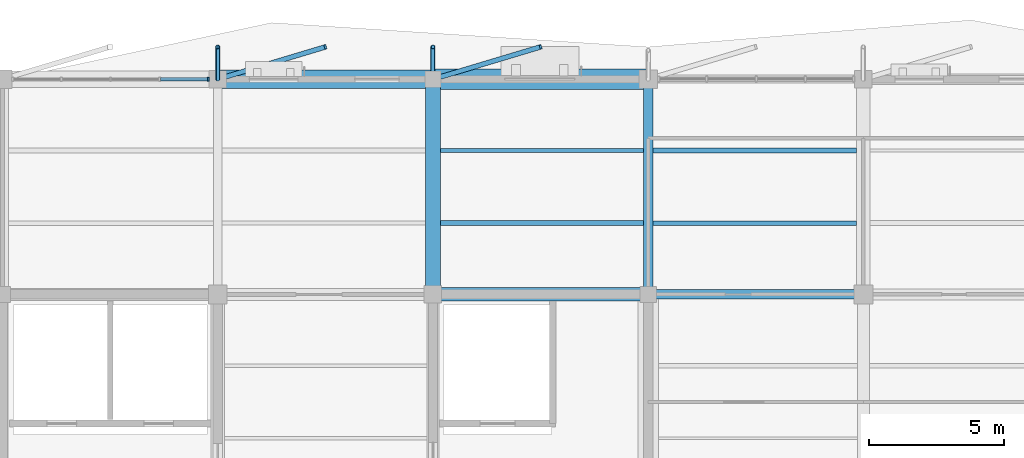
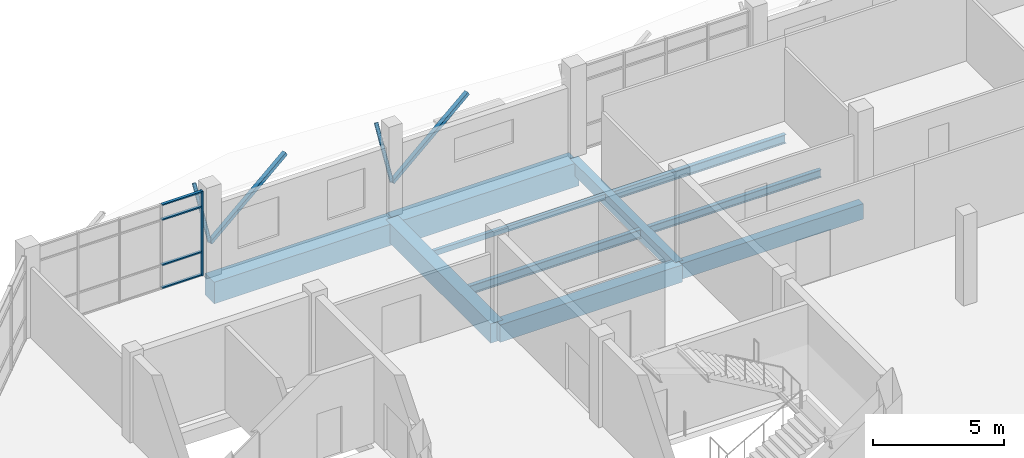
# One storey, part 32 of 84: 10 beams, 9 members, 1 element without a shape of its own.
"""IFC4 building model written with IfcOpenShell, lengths in metres."""

from ifc_helpers import new_model, si_unit, direction, frame, origin, origin_2d, place, context, subcontext, project, spatial, rectangle, hollow_rectangle, hollow_circle, i_section, extrude, material, material_profile, profile_set, type_object, element, aggregate, save


model = new_model("IFC4")

# Units and contexts
model_context = context("Model", 3, precision=1e-05, world=origin(), true_north=direction((0.0, 1.0)))
body_context = subcontext(model_context, "Body", "Model", "MODEL_VIEW")
ifc_project = project(units=[si_unit("LENGTHUNIT", "METRE"), si_unit("AREAUNIT", "SQUARE_METRE"), si_unit("VOLUMEUNIT", "CUBIC_METRE"), si_unit("PLANEANGLEUNIT", "RADIAN"), si_unit("MASSUNIT", "GRAM", prefix="KILO")], contexts=[model_context])

# Site, building, storey
site_placement = place(None, origin())
site = spatial("IfcSite", under=ifc_project, at=site_placement, CompositionType="ELEMENT")
building_placement = place(site_placement, origin())
building = spatial("IfcBuilding", under=site, at=building_placement, Name="Tenunan Teduh Sports Hall", CompositionType="ELEMENT")
storey_placement = place(building_placement, frame((0.0, 0.0, 10.800048828125)))
storey = spatial("IfcBuildingStorey", under=building, at=storey_placement, Name="L02", CompositionType="ELEMENT", Elevation=10.800048828125)

# Beams
ifc_material_1 = material(Name="Concrete C40/50", Category="concrete")
ifc_material_profile_1 = material_profile(ifc_material_1, rectangle(XDim=0.35009765625, YDim=0.60009765625, at=origin_2d()), Name="RCB 350x600")
ifc_profile_set_1 = profile_set([ifc_material_profile_1], Name="Concrete C40/50")
beam_type_1 = type_object("IfcBeamType", Name="BM-RC-350x600", PredefinedType="BEAM", material=ifc_profile_set_1)
beam_1_placement = place(storey_placement, frame((38.0, 110.0, -0.56005859375), z_axis=(0.0, 1.0, 0.0), x_axis=(-1.0, 0.0, 0.0)))
element("IfcBeam", 1, at=beam_1_placement, inside=storey, type_object=beam_type_1, Name="BM-B-04-L02-1602", PredefinedType="BEAM", context=body_context, shape_type="SweptSolid", body=[
    extrude(rectangle(XDim=0.35009765625, YDim=0.60009765625, at=origin_2d()), origin(), (0.0, 0.0, 1.0), 8.0),
])
ifc_material_2 = material(Name="Concrete C40/50", Category="concrete")
ifc_material_profile_2 = material_profile(ifc_material_2, rectangle(XDim=0.5, YDim=0.800048828125, at=origin_2d()), Name="RCB 500x800")
ifc_profile_set_2 = profile_set([ifc_material_profile_2], Name="Concrete C40/50")
beam_type_2 = type_object("IfcBeamType", Name="BM-RC-500x800", PredefinedType="BEAM", material=ifc_profile_set_2)
beam_2_placement = place(storey_placement, frame((30.0, 110.0, -0.66015625), z_axis=(1.0, 0.0, 0.0), x_axis=(0.0, 1.0, 0.0)))
element("IfcBeam", 2, at=beam_2_placement, inside=storey, type_object=beam_type_2, Name="BM-B-14-L02-1544", PredefinedType="BEAM", context=body_context, shape_type="SweptSolid", body=[
    extrude(rectangle(XDim=0.5, YDim=0.800048828125, at=origin_2d()), origin(), (0.0, 0.0, 1.0), 8.0),
])
ifc_material_3 = material(Name="Concrete C40/50", Category="concrete")
ifc_material_profile_3 = material_profile(ifc_material_3, rectangle(XDim=0.550048828125, YDim=0.89990234375, at=origin_2d()), Name="RCB 550x900")
ifc_profile_set_3 = profile_set([ifc_material_profile_3], Name="Concrete C40/50")
beam_type_3 = type_object("IfcBeamType", Name="BM-RC-550x900", PredefinedType="BEAM", material=ifc_profile_set_3)
beam_3_placement = place(storey_placement, frame((30.0, 110.0, -0.7099609375), z_axis=(0.0, 1.0, 0.0), x_axis=(-1.0, 0.0, 0.0)))
element("IfcBeam", 3, at=beam_3_placement, inside=storey, type_object=beam_type_3, Name="BM-B-16-L02-1597", PredefinedType="BEAM", context=body_context, shape_type="SweptSolid", body=[
    extrude(rectangle(XDim=0.550048828125, YDim=0.89990234375, at=origin_2d()), origin(), (0.0, 0.0, 1.0), 8.0),
])
ifc_material_4 = material(Name="Concrete C40/50", Category="concrete")
ifc_material_profile_4 = material_profile(ifc_material_4, rectangle(XDim=0.699951171875, YDim=1.0, at=origin_2d()), Name="RCB 700x1000")
ifc_profile_set_4 = profile_set([ifc_material_profile_4], Name="Concrete C40/50")
beam_type_4 = type_object("IfcBeamType", Name="BM-RC-700x1000", PredefinedType="SPANDREL", material=ifc_profile_set_4)
beam_4_placement = place(storey_placement, frame((22.0, 118.0, -0.760009765625), z_axis=(1.0, 0.0, 0.0), x_axis=(0.0, 1.0, 0.0)))
element("IfcBeam", 4, at=beam_4_placement, inside=storey, type_object=beam_type_4, Name="BM-B-19-L02-1559", PredefinedType="SPANDREL", context=body_context, shape_type="SweptSolid", body=[
    extrude(rectangle(XDim=0.699951171875, YDim=1.0, at=origin_2d()), origin(), (0.0, 0.0, 1.0), 8.0),
])
ifc_material_5 = material(Name="Concrete C40/50", Category="concrete")
ifc_material_profile_5 = material_profile(ifc_material_5, rectangle(XDim=0.75, YDim=1.10009765625, at=origin_2d()), Name="RCB 750x1100")
ifc_profile_set_5 = profile_set([ifc_material_profile_5], Name="Concrete C40/50")
beam_type_5 = type_object("IfcBeamType", Name="BM-RC-750x1100", PredefinedType="SPANDREL", material=ifc_profile_set_5)
beam_5_placement = place(storey_placement, frame((30.0, 118.0, -0.81005859375), z_axis=(1.0, 0.0, 0.0), x_axis=(0.0, 1.0, 0.0)))
element("IfcBeam", 5, at=beam_5_placement, inside=storey, type_object=beam_type_5, Name="BM-B-20-L02-1560", PredefinedType="SPANDREL", context=body_context, shape_type="SweptSolid", body=[
    extrude(rectangle(XDim=0.75, YDim=1.10009765625, at=origin_2d()), origin(), (0.0, 0.0, 1.0), 8.0),
])
ifc_material_6 = material(Name="Concrete C40/50", Category="concrete")
ifc_material_profile_6 = material_profile(ifc_material_6, rectangle(XDim=0.35009765625, YDim=0.719970703125, at=origin_2d()), Name="TB 350x720")
ifc_profile_set_6 = profile_set([ifc_material_profile_6], Name="Concrete C40/50")
beam_type_6 = type_object("IfcBeamType", Name="BM-TB-350x720", PredefinedType="T_BEAM", material=ifc_profile_set_6)
beam_6_placement = place(storey_placement, frame((38.0, 110.0, -0.6201171875), z_axis=(1.0, 0.0, 0.0), x_axis=(0.0, 1.0, 0.0)))
element("IfcBeam", 6, at=beam_6_placement, inside=storey, type_object=beam_type_6, Name="BM-TB-01-L02-1545", PredefinedType="T_BEAM", context=body_context, shape_type="SweptSolid", body=[
    extrude(rectangle(XDim=0.35009765625, YDim=0.719970703125, at=origin_2d()), origin(), (0.0, 0.0, 1.0), 8.0),
])

# Curtain wall, members
ifc_material_7 = material(Name="Anodised aluminium", Category="aluminium")
curtain_wall_type = type_object("IfcCurtainWallType", Name="CW-UNIT-2", PredefinedType="NOTDEFINED", material=ifc_material_7)
curtain_wall_placement = place(storey_placement, origin())
curtain_wall = element("IfcCurtainWall", 7, at=curtain_wall_placement, inside=storey, type_object=curtain_wall_type, Name="CW-CWM-150-L02-215", PredefinedType="NOTDEFINED")
ifc_material_8 = material(Name="Anodised aluminium", Category="aluminium")
ifc_material_profile_7 = material_profile(ifc_material_8, rectangle(XDim=0.06005859375, YDim=0.14990234375, at=origin_2d()), Name="CWM 60x150")
ifc_profile_set_7 = profile_set([ifc_material_profile_7], Name="Anodised aluminium")
member_type_1 = type_object("IfcMemberType", Name="CWM-150", PredefinedType="MULLION", material=ifc_profile_set_7)
member_1_placement = place(storey_placement, frame((21.64501953125, 118.0, 0.0), z_axis=(0.0, 0.0, 1.0), x_axis=(1.0, 0.0, 0.0)))
member_1 = element("IfcMember", 8, at=member_1_placement, type_object=member_type_1, Name="CW-02 mullion 5", PredefinedType="MULLION", context=body_context, shape_type="SweptSolid", body=[
    extrude(rectangle(XDim=0.06005859375, YDim=0.14990234375, at=origin_2d()), origin(), (0.0, 0.0, 1.0), 3.919921875),
])
ifc_material_9 = material(Name="Anodised aluminium", Category="aluminium")
ifc_material_profile_8 = material_profile(ifc_material_9, rectangle(XDim=0.06005859375, YDim=0.1201171875, at=origin_2d()), Name="CWT 60x120")
ifc_profile_set_8 = profile_set([ifc_material_profile_8], Name="Anodised aluminium")
member_type_2 = type_object("IfcMemberType", Name="CWT-125", PredefinedType="USERDEFINED", material=ifc_profile_set_8)
member_2_placement = place(storey_placement, frame((19.873779296875, 118.0, 0.030029296875), z_axis=(1.0, 0.0, 0.0), x_axis=(0.0, 0.0, 1.0)))
member_2 = element("IfcMember", 9, at=member_2_placement, type_object=member_type_2, Name="CW-02 transom 4.1", ObjectType="TRANSOM", PredefinedType="USERDEFINED", context=body_context, shape_type="SweptSolid", body=[
    extrude(rectangle(XDim=0.06005859375, YDim=0.1201171875, at=origin_2d()), origin(), (0.0, 0.0, 1.0), 1.7412109375),
])
member_3_placement = place(storey_placement, frame((19.873779296875, 118.0, 1.099853515625), z_axis=(1.0, 0.0, 0.0), x_axis=(0.0, 0.0, 1.0)))
member_3 = element("IfcMember", 10, at=member_3_placement, type_object=member_type_2, Name="CW-02 transom 4.2", ObjectType="TRANSOM", PredefinedType="USERDEFINED", context=body_context, shape_type="SweptSolid", body=[
    extrude(rectangle(XDim=0.06005859375, YDim=0.1201171875, at=origin_2d()), origin(), (0.0, 0.0, 1.0), 1.7412109375),
])
member_4_placement = place(storey_placement, frame((19.873779296875, 118.0, 3.199951171875), z_axis=(1.0, 0.0, 0.0), x_axis=(0.0, 0.0, 1.0)))
member_4 = element("IfcMember", 11, at=member_4_placement, type_object=member_type_2, Name="CW-02 transom 4.3", ObjectType="TRANSOM", PredefinedType="USERDEFINED", context=body_context, shape_type="SweptSolid", body=[
    extrude(rectangle(XDim=0.06005859375, YDim=0.1201171875, at=origin_2d()), origin(), (0.0, 0.0, 1.0), 1.7412109375),
])
member_5_placement = place(storey_placement, frame((19.873779296875, 118.0, 3.889892578125), z_axis=(1.0, 0.0, 0.0), x_axis=(0.0, 0.0, 1.0)))
member_5 = element("IfcMember", 12, at=member_5_placement, type_object=member_type_2, Name="CW-02 transom 4.4", ObjectType="TRANSOM", PredefinedType="USERDEFINED", context=body_context, shape_type="SweptSolid", body=[
    extrude(rectangle(XDim=0.06005859375, YDim=0.1201171875, at=origin_2d()), origin(), (0.0, 0.0, 1.0), 1.7412109375),
])
aggregate(curtain_wall, [member_1, member_2, member_3, member_4, member_5])

# Members
ifc_material_10 = material(Name="Steel S355", Category="steel")
ifc_material_profile_9 = material_profile(ifc_material_10, hollow_circle(Radius=0.084228515625, WallThickness=0.008056640625, at=origin_2d()), Name="CHS 168.3x8.0")
ifc_profile_set_9 = profile_set([ifc_material_profile_9], Name="Steel S355")
member_type_3 = type_object("IfcMemberType", Name="MEM-BR-CHS168", PredefinedType="BRACE", material=ifc_profile_set_9)
for number, where, z_axis, x_axis, name in (
    (13, (22.0, 118.0, 1.39990234375), (0.0, 0.510716402665, 0.859749240214), (-1.0, 0.0, 0.0), "MEM-GD-04-L02-1241"),
    (14, (30.0, 118.0, 1.39990234375), (0.0, 0.510716402665, 0.859749240214), (-1.0, 0.0, 0.0), "MEM-GD-04-L02-1243"),
):
    element("IfcMember", number, at=place(storey_placement, frame(where, z_axis=z_axis, x_axis=x_axis)), inside=storey, type_object=member_type_3, Name=name, PredefinedType="BRACE", context=body_context, shape_type="SweptSolid", body=[
        extrude(hollow_circle(Radius=0.084228515625, WallThickness=0.008056640625, at=origin_2d()), origin(), (0.0, 0.0, 1.0), 2.349609375),
    ])
ifc_material_11 = material(Name="Steel S355", Category="steel")
ifc_material_profile_10 = material_profile(ifc_material_11, hollow_rectangle(XDim=0.179931640625, YDim=0.179931640625, WallThickness=0.010009765625, at=origin_2d()), Name="SHS 180x180x10.0")
ifc_profile_set_10 = profile_set([ifc_material_profile_10], Name="Steel S355")
member_type_4 = type_object("IfcMemberType", Name="MEM-ST-SHS180", PredefinedType="STRUT", material=ifc_profile_set_10)
for number, where, z_axis, x_axis, name in (
    (15, (22.0, 118.0, 1.39990234375), (0.862253980499, 0.258665668588, 0.435442470376), (-0.287337158709, 0.957829503213, 0.0), "MEM-VS-03-L02-1242"),
    (16, (30.0, 118.0, 1.39990234375), (0.862253980499, 0.258665668588, 0.435442470376), (-0.287337158709, 0.957829503213, 0.0), "MEM-VS-03-L02-1244"),
):
    element("IfcMember", number, at=place(storey_placement, frame(where, z_axis=z_axis, x_axis=x_axis)), inside=storey, type_object=member_type_4, Name=name, PredefinedType="STRUT", context=body_context, shape_type="SweptSolid", body=[
        extrude(hollow_rectangle(XDim=0.179931640625, YDim=0.179931640625, WallThickness=0.010009765625, at=origin_2d()), origin(), (0.0, 0.0, 1.0), 4.638916015625),
    ])

# Beams
ifc_material_12 = material(Name="Steel S355", Category="steel")
ifc_material_profile_11 = material_profile(ifc_material_12, hollow_rectangle(XDim=0.14990234375, YDim=0.25, WallThickness=0.010009765625, at=origin_2d()), Name="RHS 250x150x10.0")
ifc_profile_set_11 = profile_set([ifc_material_profile_11], Name="Steel S355")
beam_type_7 = type_object("IfcBeamType", Name="RBM-RHS250", PredefinedType="BEAM", material=ifc_profile_set_11)
beam_7_placement = place(storey_placement, frame((30.27490234375, 115.35009765625, -0.385009765625), z_axis=(1.0, 0.0, 0.0), x_axis=(0.0, 1.0, 0.0)))
element("IfcBeam", 17, at=beam_7_placement, inside=storey, type_object=beam_type_7, Name="Perimeter Ring Beam BM-RB-04-L02-1713", PredefinedType="BEAM", context=body_context, shape_type="SweptSolid", body=[
    extrude(hollow_rectangle(XDim=0.14990234375, YDim=0.25, WallThickness=0.010009765625, at=origin_2d()), origin(), (0.0, 0.0, 1.0), 7.550048828125),
])
ifc_material_13 = material(Name="Steel S355", Category="steel")
ifc_material_profile_12 = material_profile(ifc_material_13, i_section(OverallWidth=0.17138671875, OverallDepth=0.35498046875, WebThickness=0.00732421875, FlangeThickness=0.011474609375, FilletRadius=0.01025390625, at=origin_2d()), Name="UKB 356x171x51")
ifc_profile_set_12 = profile_set([ifc_material_profile_12], Name="Steel S355")
beam_type_8 = type_object("IfcBeamType", Name="SBM-UKB356", PredefinedType="BEAM", material=ifc_profile_set_12)
beam_8_placement = place(storey_placement, frame((38.175048828125, 112.64990234375, -0.4375), z_axis=(1.0, 0.0, 0.0), x_axis=(0.0, 1.0, 0.0)))
element("IfcBeam", 18, at=beam_8_placement, inside=storey, type_object=beam_type_8, Name="BM-SB-02-L02-1722", PredefinedType="BEAM", context=body_context, shape_type="SweptSolid", body=[
    extrude(i_section(OverallWidth=0.17138671875, OverallDepth=0.35498046875, WebThickness=0.00732421875, FlangeThickness=0.011474609375, FilletRadius=0.01025390625, at=origin_2d()), origin(), (0.0, 0.0, 1.0), 7.574951171875),
])
ifc_material_14 = material(Name="Steel S355", Category="steel")
ifc_material_profile_13 = material_profile(ifc_material_14, i_section(OverallWidth=0.177978515625, OverallDepth=0.406494140625, WebThickness=0.0078125, FlangeThickness=0.0126953125, FilletRadius=0.01025390625, at=origin_2d()), Name="UKB 406x178x60")
ifc_profile_set_13 = profile_set([ifc_material_profile_13], Name="Steel S355")
beam_type_9 = type_object("IfcBeamType", Name="SBM-UKB406", PredefinedType="BEAM", material=ifc_profile_set_13)
beam_9_placement = place(storey_placement, frame((30.27490234375, 112.64990234375, -0.463134765625), z_axis=(1.0, 0.0, 0.0), x_axis=(0.0, 1.0, 0.0)))
element("IfcBeam", 19, at=beam_9_placement, inside=storey, type_object=beam_type_9, Name="BM-SB-03-L02-1712", PredefinedType="BEAM", context=body_context, shape_type="SweptSolid", body=[
    extrude(i_section(OverallWidth=0.177978515625, OverallDepth=0.406494140625, WebThickness=0.0078125, FlangeThickness=0.0126953125, FilletRadius=0.01025390625, at=origin_2d()), origin(), (0.0, 0.0, 1.0), 7.550048828125),
])
beam_10_placement = place(storey_placement, frame((38.175048828125, 115.35009765625, -0.463134765625), z_axis=(1.0, 0.0, 0.0), x_axis=(0.0, 1.0, 0.0)))
element("IfcBeam", 20, at=beam_10_placement, inside=storey, type_object=beam_type_9, Name="BM-SB-03-L02-1723", PredefinedType="BEAM", context=body_context, shape_type="SweptSolid", body=[
    extrude(i_section(OverallWidth=0.177978515625, OverallDepth=0.406494140625, WebThickness=0.0078125, FlangeThickness=0.0126953125, FilletRadius=0.01025390625, at=origin_2d()), origin(), (0.0, 0.0, 1.0), 7.574951171875),
])

save(model, "model.ifc")
